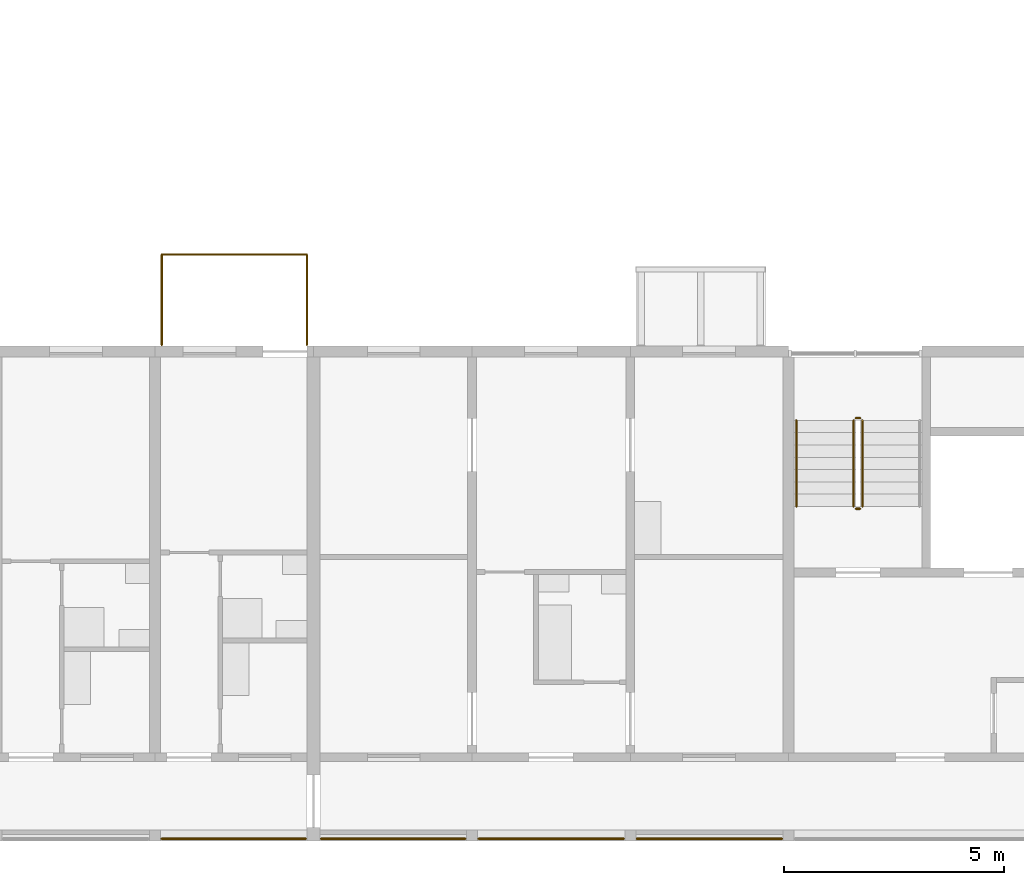
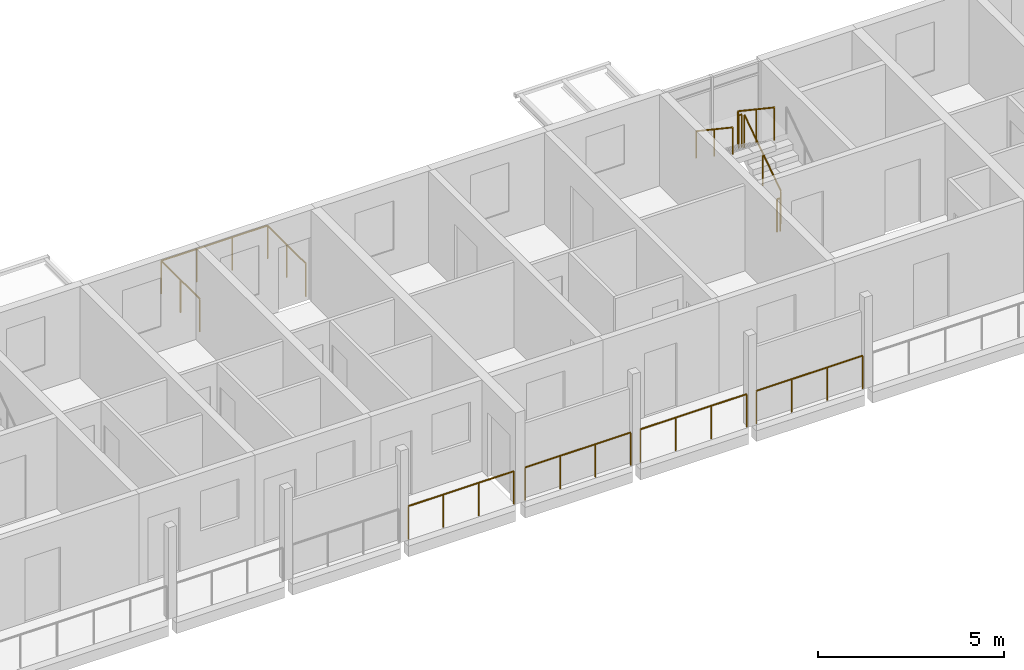
# One storey, part 79 of 99: 10 railings.
"""IFC4 building model written with IfcOpenShell, lengths in metres."""

from ifc_helpers import new_model, si_unit, direction, frame, origin, origin_2d, place, context, subcontext, project, spatial, circle, extrude, material, type_object, element, save


model = new_model("IFC4")

# Units and contexts
model_context = context("Model", 3, precision=1e-05, world=origin(), true_north=direction((0.0, 1.0)))
body_context = subcontext(model_context, "Body", "Model", "MODEL_VIEW")
ifc_project = project(units=[si_unit("LENGTHUNIT", "METRE"), si_unit("AREAUNIT", "SQUARE_METRE"), si_unit("VOLUMEUNIT", "CUBIC_METRE"), si_unit("PLANEANGLEUNIT", "RADIAN"), si_unit("MASSUNIT", "GRAM", prefix="KILO")], contexts=[model_context])

# Site, building, storey
site_placement = place(None, origin())
site = spatial("IfcSite", under=ifc_project, at=site_placement, CompositionType="ELEMENT")
building_placement = place(site_placement, origin())
building = spatial("IfcBuilding", under=site, at=building_placement, Name="Ridgestep Commons", CompositionType="ELEMENT")
storey_placement = place(building_placement, frame((0.0, 0.0, 15.0)))
storey = spatial("IfcBuildingStorey", under=building, at=storey_placement, Name="L05", CompositionType="ELEMENT", Elevation=15.0)

# Railings
ifc_material_1 = material(Name="Structural steel S355JR", Category="steel")
railing_type_1 = type_object("IfcRailingType", Name="Guard 1100", PredefinedType="GUARDRAIL", material=ifc_material_1)
for number, where, name in (
    (1, (58.946044921875, 11.800048828125, 0.0), "Gallery guard A 05.12"),
    (2, (62.571044921875, 11.800048828125, 0.0), "Gallery guard A 05.13"),
):
    element("IfcRailing", number, at=place(storey_placement, frame(where)), inside=storey, type_object=railing_type_1, Name=name, PredefinedType="GUARDRAIL", context=body_context, shape_type="SweptSolid", body=[
        extrude(circle(Radius=0.02392578125, at=origin_2d()), frame((0.0, 0.0, 1.076171875), z_axis=(1.0, 0.0, 0.0), x_axis=(0.0, 1.0, 0.0)), (0.0, 0.0, 1.0), 3.282958984375),
        extrude(circle(Radius=0.02099609375, at=origin_2d()), origin(), (0.0, 0.0, 1.0), 1.052001953125),
        extrude(circle(Radius=0.02099609375, at=origin_2d()), frame((1.09423828125, 0.0, 0.0)), (0.0, 0.0, 1.0), 1.052001953125),
        extrude(circle(Radius=0.02099609375, at=origin_2d()), frame((2.188720703125, 0.0, 0.0)), (0.0, 0.0, 1.0), 1.052001953125),
        extrude(circle(Radius=0.02099609375, at=origin_2d()), frame((3.282958984375, 0.0, 0.0)), (0.0, 0.0, 1.0), 1.052001953125),
    ])
railing_1_placement = place(storey_placement, frame((66.14599609375, 11.800048828125, 0.0)))
element("IfcRailing", 3, at=railing_1_placement, inside=storey, type_object=railing_type_1, Name="Gallery guard A 05.14", PredefinedType="GUARDRAIL", context=body_context, shape_type="SweptSolid", body=[
    extrude(circle(Radius=0.02392578125, at=origin_2d()), frame((0.0, 0.0, 1.076171875), z_axis=(1.0, 0.0, 0.0), x_axis=(0.0, 1.0, 0.0)), (0.0, 0.0, 1.0), 3.30810546875),
    extrude(circle(Radius=0.02099609375, at=origin_2d()), origin(), (0.0, 0.0, 1.0), 1.052001953125),
    extrude(circle(Radius=0.02099609375, at=origin_2d()), frame((1.102783203125, 0.0, 0.0)), (0.0, 0.0, 1.0), 1.052001953125),
    extrude(circle(Radius=0.02099609375, at=origin_2d()), frame((2.205322265625, 0.0, 0.0)), (0.0, 0.0, 1.0), 1.052001953125),
    extrude(circle(Radius=0.02099609375, at=origin_2d()), frame((3.30810546875, 0.0, 0.0)), (0.0, 0.0, 1.0), 1.052001953125),
])
railing_2_placement = place(storey_placement, frame((69.74609375, 11.800048828125, 0.0)))
element("IfcRailing", 4, at=railing_2_placement, inside=storey, type_object=railing_type_1, Name="Gallery guard A 05.15", PredefinedType="GUARDRAIL", context=body_context, shape_type="SweptSolid", body=[
    extrude(circle(Radius=0.02392578125, at=origin_2d()), frame((0.0, 0.0, 1.076171875), z_axis=(1.0, 0.0, 0.0), x_axis=(0.0, 1.0, 0.0)), (0.0, 0.0, 1.0), 3.307861328125),
    extrude(circle(Radius=0.02099609375, at=origin_2d()), origin(), (0.0, 0.0, 1.0), 1.052001953125),
    extrude(circle(Radius=0.02099609375, at=origin_2d()), frame((1.1025390625, 0.0, 0.0)), (0.0, 0.0, 1.0), 1.052001953125),
    extrude(circle(Radius=0.02099609375, at=origin_2d()), frame((2.205322265625, 0.0, 0.0)), (0.0, 0.0, 1.0), 1.052001953125),
    extrude(circle(Radius=0.02099609375, at=origin_2d()), frame((3.307861328125, 0.0, 0.0)), (0.0, 0.0, 1.0), 1.052001953125),
])
ifc_material_2 = material(Name="Structural steel S355JR", Category="steel")
railing_type_2 = type_object("IfcRailingType", Name="Stair guard 1100", PredefinedType="GUARDRAIL", material=ifc_material_2)
railing_3_placement = place(storey_placement, frame((74.875, 19.35009765625, 0.1875)))
element("IfcRailing", 5, at=railing_3_placement, inside=storey, type_object=railing_type_2, Name="L05 A4C stair guard 1", PredefinedType="GUARDRAIL", context=body_context, shape_type="SweptSolid", body=[
    extrude(circle(Radius=0.02392578125, at=origin_2d()), frame((0.0, 0.0, 1.076171875), z_axis=(0.0, 0.830902050051, 0.556418712142), x_axis=(-1.0, 0.0, 0.0)), (0.0, 0.0, 1.0), 2.35888671875),
    extrude(circle(Radius=0.02099609375, at=origin_2d()), origin(), (0.0, 0.0, 1.0), 1.052001953125),
    extrude(circle(Radius=0.02099609375, at=origin_2d()), frame((0.0, 0.97998046875, 0.65625)), (0.0, 0.0, 1.0), 1.052001953125),
    extrude(circle(Radius=0.02099609375, at=origin_2d()), frame((0.0, 1.9599609375, 1.3125)), (0.0, 0.0, 1.0), 1.052001953125),
])
railing_4_placement = place(storey_placement, frame((74.824951171875, 21.360107421875, 1.5)))
element("IfcRailing", 6, at=railing_4_placement, inside=storey, type_object=railing_type_2, Name="L05 A4C stair guard 2", PredefinedType="GUARDRAIL", context=body_context, shape_type="SweptSolid", body=[
    extrude(circle(Radius=0.02392578125, at=origin_2d()), frame((0.0, 0.0, 1.076171875), z_axis=(-1.0, 0.0, 0.0), x_axis=(0.0, -1.0, 0.0)), (0.0, 0.0, 1.0), 0.099853515625),
    extrude(circle(Radius=0.02099609375, at=origin_2d()), origin(), (0.0, 0.0, 1.0), 1.052001953125),
    extrude(circle(Radius=0.02099609375, at=origin_2d()), frame((-0.099853515625, 0.0, 0.0)), (0.0, 0.0, 1.0), 1.052001953125),
])
railing_5_placement = place(storey_placement, frame((74.675048828125, 21.31005859375, 1.6875)))
element("IfcRailing", 7, at=railing_5_placement, inside=storey, type_object=railing_type_2, Name="L05 A4C stair guard 3", PredefinedType="GUARDRAIL", context=body_context, shape_type="SweptSolid", body=[
    extrude(circle(Radius=0.02392578125, at=origin_2d()), frame((0.0, 0.0, 1.076171875), z_axis=(0.0, -0.830902050051, 0.556418712142), x_axis=(1.0, 0.0, 0.0)), (0.0, 0.0, 1.0), 2.35888671875),
    extrude(circle(Radius=0.02099609375, at=origin_2d()), origin(), (0.0, 0.0, 1.0), 1.052001953125),
    extrude(circle(Radius=0.02099609375, at=origin_2d()), frame((0.0, -0.97998046875, 0.65625)), (0.0, 0.0, 1.0), 1.052001953125),
    extrude(circle(Radius=0.02099609375, at=origin_2d()), frame((0.0, -1.9599609375, 1.3125)), (0.0, 0.0, 1.0), 1.052001953125),
])
railing_6_placement = place(storey_placement, frame((74.824951171875, 19.300048828125, 0.0)))
element("IfcRailing", 8, at=railing_6_placement, inside=storey, type_object=railing_type_2, Name="L05 A4C stair guard 4", PredefinedType="GUARDRAIL", context=body_context, shape_type="SweptSolid", body=[
    extrude(circle(Radius=0.02392578125, at=origin_2d()), frame((0.0, 0.0, 1.076171875), z_axis=(-1.0, 0.0, 0.0), x_axis=(0.0, -1.0, 0.0)), (0.0, 0.0, 1.0), 0.099853515625),
    extrude(circle(Radius=0.02099609375, at=origin_2d()), origin(), (0.0, 0.0, 1.0), 1.052001953125),
    extrude(circle(Radius=0.02099609375, at=origin_2d()), frame((-0.099853515625, 0.0, 0.0)), (0.0, 0.0, 1.0), 1.052001953125),
])
ifc_material_3 = material(Name="Structural steel S355JR", Category="steel")
railing_type_3 = type_object("IfcRailingType", Name="Stair handrail 900", PredefinedType="HANDRAIL", material=ifc_material_3)
railing_7_placement = place(storey_placement, frame((73.375, 21.31005859375, 1.6875)))
element("IfcRailing", 9, at=railing_7_placement, inside=storey, type_object=railing_type_3, Name="L05 A4C stair handrail 2", PredefinedType="HANDRAIL", context=body_context, shape_type="SweptSolid", body=[
    extrude(circle(Radius=0.02392578125, at=origin_2d()), frame((0.0, 0.0, 0.8759765625), z_axis=(0.0, -0.830902050051, 0.556418712142), x_axis=(1.0, 0.0, 0.0)), (0.0, 0.0, 1.0), 2.35888671875),
    extrude(circle(Radius=0.02099609375, at=origin_2d()), origin(), (0.0, 0.0, 1.0), 0.851806640625),
    extrude(circle(Radius=0.02099609375, at=origin_2d()), frame((0.0, -0.97998046875, 0.65625)), (0.0, 0.0, 1.0), 0.851806640625),
    extrude(circle(Radius=0.02099609375, at=origin_2d()), frame((0.0, -1.9599609375, 1.3125)), (0.0, 0.0, 1.0), 0.851806640625),
])
ifc_material_4 = material(Name="Weathering steel S355J2W", Category="steel")
railing_type_4 = type_object("IfcRailingType", Name="Tray guard 1100", PredefinedType="GUARDRAIL", material=ifc_material_4)
railing_8_placement = place(storey_placement, frame((58.950927734375, 23.02099609375, 0.0)))
element("IfcRailing", 10, at=railing_8_placement, inside=storey, type_object=railing_type_4, Name="Tray guard A3T1-05", PredefinedType="GUARDRAIL", context=body_context, shape_type="SweptSolid", body=[
    extrude(circle(Radius=0.02392578125, at=origin_2d()), frame((0.0, 0.0, 1.076171875), z_axis=(0.0, 1.0, 0.0), x_axis=(-1.0, 0.0, 0.0)), (0.0, 0.0, 1.0), 2.05810546875),
    extrude(circle(Radius=0.02392578125, at=origin_2d()), frame((0.0, 2.05810546875, 1.076171875), z_axis=(1.0, 0.0, 0.0), x_axis=(0.0, 1.0, 0.0)), (0.0, 0.0, 1.0), 3.298095703125),
    extrude(circle(Radius=0.02392578125, at=origin_2d()), frame((3.298095703125, 2.05810546875, 1.076171875), z_axis=(0.0, -1.0, 0.0), x_axis=(1.0, 0.0, 0.0)), (0.0, 0.0, 1.0), 2.05810546875),
    extrude(circle(Radius=0.02099609375, at=origin_2d()), origin(), (0.0, 0.0, 1.0), 1.052001953125),
    extrude(circle(Radius=0.02099609375, at=origin_2d()), frame((0.0, 1.029052734375, 0.0)), (0.0, 0.0, 1.0), 1.052001953125),
    extrude(circle(Radius=0.02099609375, at=origin_2d()), frame((0.0, 2.05810546875, 0.0)), (0.0, 0.0, 1.0), 1.052001953125),
    extrude(circle(Radius=0.02099609375, at=origin_2d()), frame((1.099365234375, 2.05810546875, 0.0)), (0.0, 0.0, 1.0), 1.052001953125),
    extrude(circle(Radius=0.02099609375, at=origin_2d()), frame((2.19873046875, 2.05810546875, 0.0)), (0.0, 0.0, 1.0), 1.052001953125),
    extrude(circle(Radius=0.02099609375, at=origin_2d()), frame((3.298095703125, 2.05810546875, 0.0)), (0.0, 0.0, 1.0), 1.052001953125),
    extrude(circle(Radius=0.02099609375, at=origin_2d()), frame((3.298095703125, 1.029052734375, 0.0)), (0.0, 0.0, 1.0), 1.052001953125),
    extrude(circle(Radius=0.02099609375, at=origin_2d()), frame((3.298095703125, 0.0, 0.0)), (0.0, 0.0, 1.0), 1.052001953125),
])

save(model, "model.ifc")
